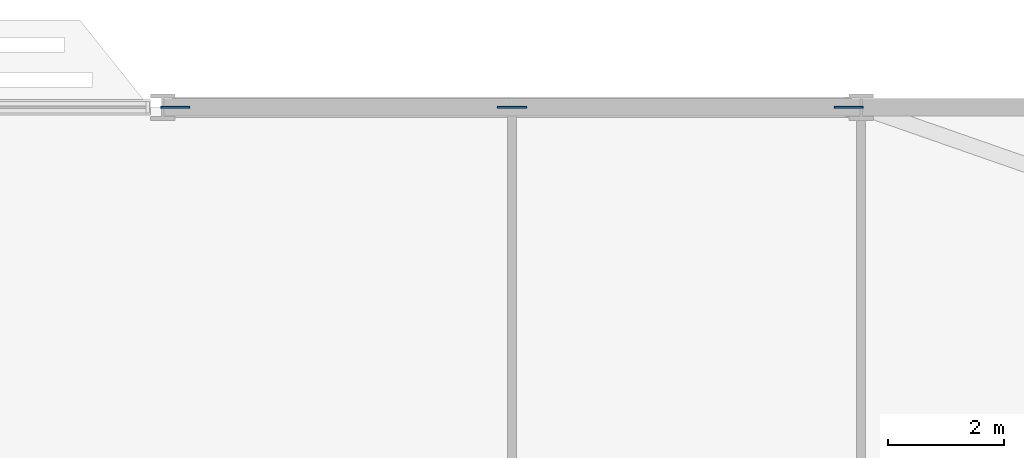
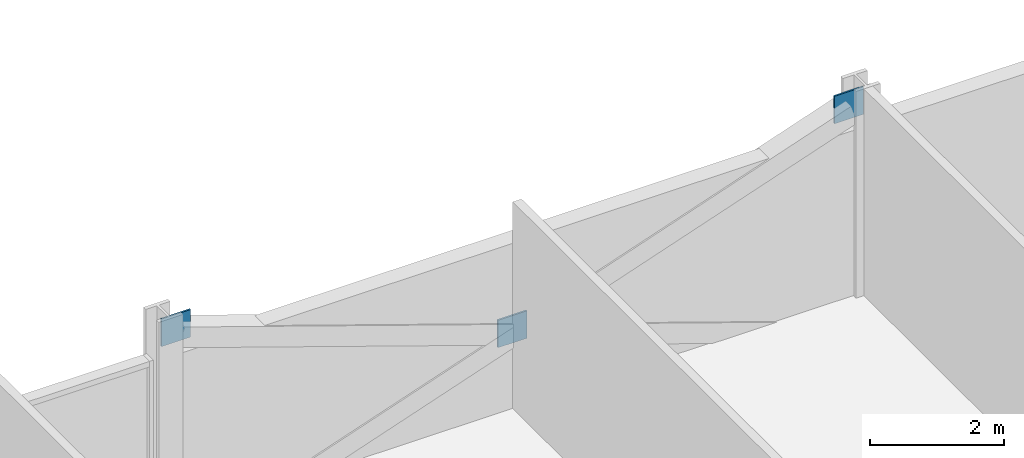
# One storey, part 22 of 29: 3 discrete accessories.
"""IFC4 building model written with IfcOpenShell, lengths in metres."""

from ifc_helpers import new_model, si_unit, direction, frame, origin, origin_2d, place, context, subcontext, project, spatial, rectangle, extrude, material, layer, layer_set, type_object, element, save


model = new_model("IFC4")

# Units and contexts
model_context = context("Model", 3, precision=1e-05, world=origin(), true_north=direction((0.0, 1.0)))
body_context = subcontext(model_context, "Body", "Model", "MODEL_VIEW")
ifc_project = project(units=[si_unit("LENGTHUNIT", "METRE"), si_unit("AREAUNIT", "SQUARE_METRE"), si_unit("VOLUMEUNIT", "CUBIC_METRE"), si_unit("PLANEANGLEUNIT", "RADIAN"), si_unit("MASSUNIT", "GRAM", prefix="KILO")], contexts=[model_context])

# Site, building, storey
site_placement = place(None, origin())
site = spatial("IfcSite", under=ifc_project, at=site_placement, CompositionType="ELEMENT")
building_placement = place(site_placement, origin())
building = spatial("IfcBuilding", under=site, at=building_placement, Name="Mahtab Terrace Research Tower", CompositionType="ELEMENT")
storey_placement = place(building_placement, frame((0.0, 0.0, 109.39990234375)))
storey = spatial("IfcBuildingStorey", under=building, at=storey_placement, Name="L25", CompositionType="ELEMENT", Elevation=109.39990234375)

# Discrete accessories
ifc_material = material(Name="Steel ASTM A992 Gr 50", Category="steel")
ifc_layer = layer(ifc_material, 0.030029296875)
ifc_layer_set = layer_set([ifc_layer], Name="Gusset plate 500x500x30")
discrete_accessory_type = type_object("IfcDiscreteAccessoryType", Name="Gusset plate 500x500x30", PredefinedType="USERDEFINED", material=ifc_layer_set)
for number, where, z_axis, x_axis, name in (
    (1, (30.209716796875, 29.0, 3.1298828125), (0.0, 0.0, 1.0), (1.0, 0.0, 0.0), "Gusset plate"),
    (2, (36.0, 29.0, 1.081787109375), (0.0, 0.0, 1.0), (1.0, 0.0, 0.0), "Gusset plate"),
    (3, (41.790283203125, 29.0, 3.1298828125), (0.0, 0.0, 1.0), (1.0, 0.0, 0.0), "Gusset plate"),
):
    element("IfcDiscreteAccessory", number, at=place(storey_placement, frame(where, z_axis=z_axis, x_axis=x_axis)), inside=storey, type_object=discrete_accessory_type, Name=name, ObjectType="GUSSET PLATE", PredefinedType="USERDEFINED", context=body_context, shape_type="SweptSolid", body=[
        extrude(rectangle(XDim=0.5, YDim=0.030029296875, at=origin_2d()), origin(), (0.0, 0.0, 1.0), 0.5),
    ])

save(model, "model.ifc")
